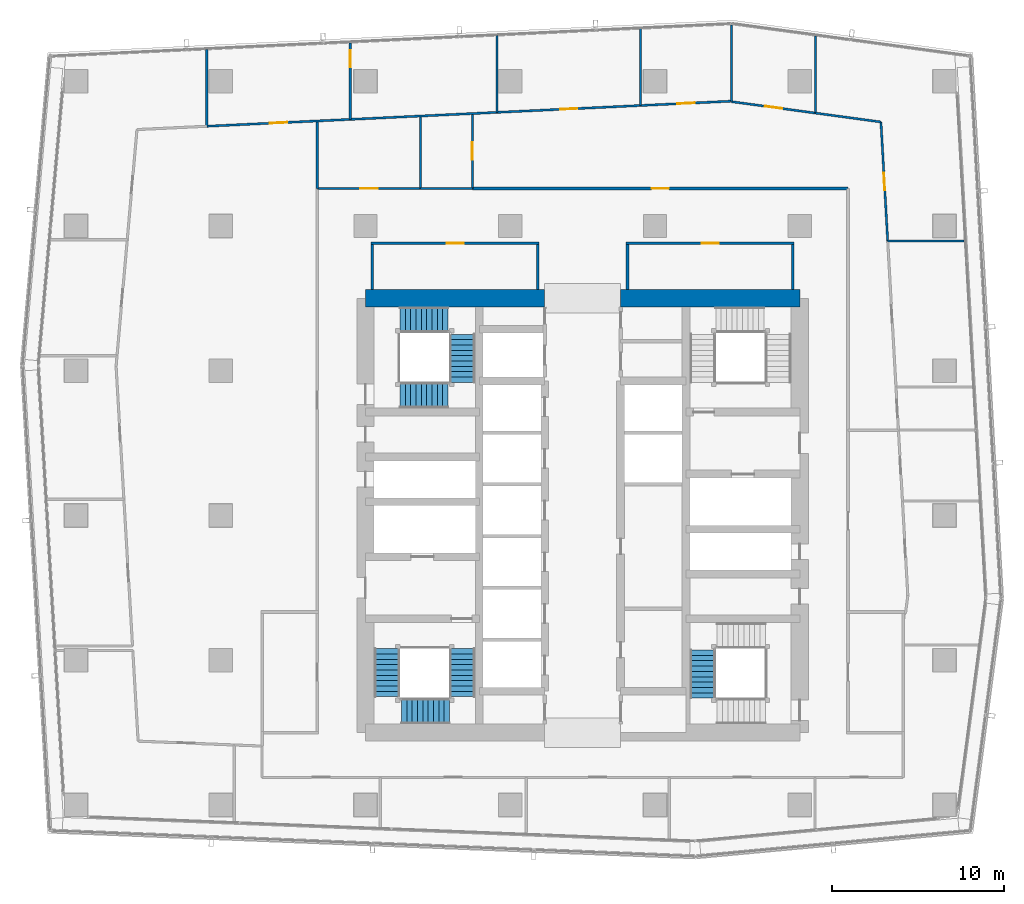
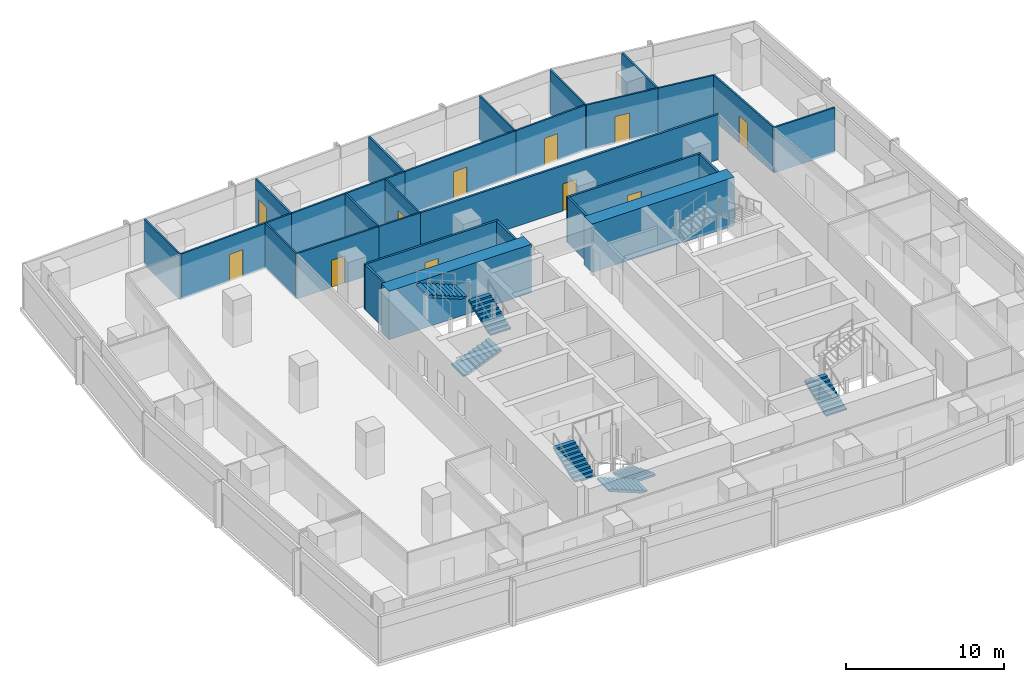
# One storey, part 30 of 39: 28 walls, 11 doors, 7 stair flights, 11 openings, 3 elements without a shape of their own.
"""IFC4 building model written with IfcOpenShell, lengths in metres."""

from ifc_helpers import new_model, si_unit, direction, frame, frame_2d, origin, place, context, subcontext, project, spatial, polyline, rectangle, outline, extrude, material, layer, layer_set, type_object, element, fill, aggregate, save


model = new_model("IFC4")

# Units and contexts
model_context = context("Model", 3, precision=1e-05, world=origin(), true_north=direction((0.0, 1.0)))
body_context = subcontext(model_context, "Body", "Model", "MODEL_VIEW")
ifc_project = project(units=[si_unit("LENGTHUNIT", "METRE"), si_unit("AREAUNIT", "SQUARE_METRE"), si_unit("VOLUMEUNIT", "CUBIC_METRE"), si_unit("PLANEANGLEUNIT", "RADIAN"), si_unit("MASSUNIT", "GRAM", prefix="KILO")], contexts=[model_context])

# Site, building, storey
site_placement = place(None, origin())
site = spatial("IfcSite", under=ifc_project, at=site_placement, CompositionType="ELEMENT")
building_placement = place(site_placement, origin())
building = spatial("IfcBuilding", under=site, at=building_placement, Name="Rekha Terrace Tower", CompositionType="ELEMENT")
storey_placement = place(building_placement, frame((0.0, 0.0, 187.699951171875)))
storey = spatial("IfcBuildingStorey", under=building, at=storey_placement, Name="L47", CompositionType="ELEMENT", Elevation=187.699951171875)

# Walls
ifc_material_1 = material(Name="Concrete M60", Category="concrete")
ifc_layer_1 = layer(ifc_material_1, 1.0)
ifc_layer_set_1 = layer_set([ifc_layer_1], Name="Concrete M60")
wall_type_1 = type_object("IfcWallType", Name="SW3 1000 core outer shear wall", PredefinedType="SHEAR", material=ifc_layer_set_1)
wall_1_placement = place(storey_placement, frame((25.199951171875, 46.199951171875, 0.0), z_axis=(0.0, 0.0, 1.0), x_axis=(1.0, 0.0, 0.0)))
element("IfcWall", 1, at=wall_1_placement, inside=storey, type_object=wall_type_1, Name="Core wall N1 L47", PredefinedType="SHEAR", context=body_context, shape_type="SweptSolid", body=[
    extrude(rectangle(XDim=10.400146484375, YDim=1.0, at=frame_2d((5.2001953125, 0.0))), origin(), (0.0, 0.0, 1.0), 3.75),
])
wall_2_placement = place(storey_placement, frame((40.0, 46.199951171875, 0.0), z_axis=(0.0, 0.0, 1.0), x_axis=(1.0, 0.0, 0.0)))
element("IfcWall", 2, at=wall_2_placement, inside=storey, type_object=wall_type_1, Name="Core wall N2 L47", PredefinedType="SHEAR", context=body_context, shape_type="SweptSolid", body=[
    extrude(rectangle(XDim=10.39990234375, YDim=1.0, at=frame_2d((5.199951171875, 0.0))), origin(), (0.0, 0.0, 1.0), 3.75),
])

# Wall, opening, door
ifc_material_2 = material(Name="Concrete block masonry, 1 hour", Category="masonry")
ifc_layer_2 = layer(ifc_material_2, 0.14990234375)
ifc_layer_set_2 = layer_set([ifc_layer_2], Name="Concrete block masonry, 1 hour")
wall_type_2 = type_object("IfcWallType", Name="WP2 150 tenancy partition", PredefinedType="PARTITIONING", material=ifc_layer_set_2)
wall_3_placement = place(storey_placement, frame((40.324951171875, 49.39990234375, 0.0), z_axis=(0.0, 0.0, 1.0), x_axis=(1.0, 0.0, 0.0)))
wall_3 = element("IfcWall", 3, at=wall_3_placement, inside=storey, type_object=wall_type_2, Name="Women's WC wall L47", PredefinedType="PARTITIONING", context=body_context, shape_type="SweptSolid", body=[
    extrude(rectangle(XDim=9.75, YDim=0.14990234375, at=frame_2d((4.875, 0.0))), origin(), (0.0, 0.0, 1.0), 3.5),
])
opening_1_placement = place(wall_3_placement, frame((4.375, 0.0, 0.0)))
opening_1 = element("IfcOpeningElement", 4, at=opening_1_placement, cuts=wall_3, Name="Opening D3", PredefinedType="OPENING", context=body_context, shape_type="SweptSolid", body=[
    extrude(rectangle(XDim=1.0, YDim=2.10009765625, at=frame_2d((0.5, 1.050048828125))), frame((0.0, 0.0849609375, 0.0), z_axis=(0.0, -1.0, 0.0), x_axis=(1.0, 0.0, 0.0)), (0.0, 0.0, 1.0), 0.169921875),
])
ifc_material_3 = material(Name="Laminated timber fire door", Category="wood")
door_type_1 = type_object("IfcDoorType", Name="D3 1000x2100 WC door", OperationType="SINGLE_SWING_LEFT", PredefinedType="DOOR", material=ifc_material_3)
door_1_placement = place(opening_1_placement, origin())
door_1 = element("IfcDoor", 5, at=door_1_placement, inside=storey, type_object=door_type_1, Name="Door women's wc L47", OperationType="SINGLE_SWING_LEFT", OverallHeight=2.10009765625, OverallWidth=1.0, PredefinedType="DOOR", context=body_context, shape_type="SweptSolid", body=[
    extrude(rectangle(XDim=1.0, YDim=2.10009765625, at=frame_2d((0.5, 1.050048828125))), frame((0.0, 0.02490234375, 0.0), z_axis=(0.0, -1.0, 0.0), x_axis=(1.0, 0.0, 0.0)), (0.0, 0.0, 1.0), 0.050048828125),
])
fill(opening_1, door_1)

# Walls
for number, where, z_axis, x_axis, name in (
    (6, (40.39990234375, 46.699951171875, 0.0), (0.0, 0.0, 1.0), (0.0, 1.0, 0.0), "Women's WC wall L47"),
    (7, (50.0, 46.699951171875, 0.0), (0.0, 0.0, 1.0), (0.0, 1.0, 0.0), "Women's WC wall L47"),
):
    element("IfcWall", number, at=place(storey_placement, frame(where, z_axis=z_axis, x_axis=x_axis)), inside=storey, type_object=wall_type_2, Name=name, PredefinedType="PARTITIONING", context=body_context, shape_type="SweptSolid", body=[
        extrude(rectangle(XDim=2.625, YDim=0.14990234375, at=frame_2d((1.3125, 0.0))), origin(), (0.0, 0.0, 1.0), 3.5),
    ])

# Wall, opening, door
wall_4_placement = place(storey_placement, frame((25.52490234375, 49.39990234375, 0.0), z_axis=(0.0, 0.0, 1.0), x_axis=(1.0, 0.0, 0.0)))
wall_4 = element("IfcWall", 8, at=wall_4_placement, inside=storey, type_object=wall_type_2, Name="Women's WC wall L47", PredefinedType="PARTITIONING", context=body_context, shape_type="SweptSolid", body=[
    extrude(rectangle(XDim=9.75, YDim=0.14990234375, at=frame_2d((4.875, 0.0))), origin(), (0.0, 0.0, 1.0), 3.5),
])
opening_2_placement = place(wall_4_placement, frame((4.375, 0.0, 0.0)))
opening_2 = element("IfcOpeningElement", 9, at=opening_2_placement, cuts=wall_4, Name="Opening D3", PredefinedType="OPENING", context=body_context, shape_type="SweptSolid", body=[
    extrude(rectangle(XDim=1.0, YDim=2.10009765625, at=frame_2d((0.5, 1.050048828125))), frame((0.0, 0.0849609375, 0.0), z_axis=(0.0, -1.0, 0.0), x_axis=(1.0, 0.0, 0.0)), (0.0, 0.0, 1.0), 0.169921875),
])
door_2_placement = place(opening_2_placement, origin())
door_2 = element("IfcDoor", 10, at=door_2_placement, inside=storey, type_object=door_type_1, Name="Door women's wc L47", OperationType="SINGLE_SWING_LEFT", OverallHeight=2.10009765625, OverallWidth=1.0, PredefinedType="DOOR", context=body_context, shape_type="SweptSolid", body=[
    extrude(rectangle(XDim=1.0, YDim=2.10009765625, at=frame_2d((0.5, 1.050048828125))), frame((0.0, 0.02490234375, 0.0), z_axis=(0.0, -1.0, 0.0), x_axis=(1.0, 0.0, 0.0)), (0.0, 0.0, 1.0), 0.050048828125),
])
fill(opening_2, door_2)

# Walls
for number, where, z_axis, x_axis, name in (
    (11, (25.60009765625, 46.699951171875, 0.0), (0.0, 0.0, 1.0), (0.0, 1.0, 0.0), "Women's WC wall L47"),
    (12, (35.199951171875, 46.699951171875, 0.0), (0.0, 0.0, 1.0), (0.0, 1.0, 0.0), "Women's WC wall L47"),
):
    element("IfcWall", number, at=place(storey_placement, frame(where, z_axis=z_axis, x_axis=x_axis)), inside=storey, type_object=wall_type_2, Name=name, PredefinedType="PARTITIONING", context=body_context, shape_type="SweptSolid", body=[
        extrude(rectangle(XDim=2.625, YDim=0.14990234375, at=frame_2d((1.3125, 0.0))), origin(), (0.0, 0.0, 1.0), 3.5),
    ])

# Wall, opening, door
wall_5_placement = place(storey_placement, frame((53.199951171875, 52.574951171875, 0.0), z_axis=(0.0, 0.0, 1.0), x_axis=(-1.0, 0.0, 0.0)))
wall_5 = element("IfcWall", 13, at=wall_5_placement, inside=storey, type_object=wall_type_2, Name="Partition L47-O2", PredefinedType="PARTITIONING", context=body_context, shape_type="SweptSolid", body=[
    extrude(rectangle(XDim=21.800048828125, YDim=0.14990234375, at=frame_2d((10.89990234375, 0.0))), origin(), (0.0, 0.0, 1.0), 3.5),
])
opening_3_placement = place(wall_5_placement, frame((10.39990234375, 0.0, 0.0)))
opening_3 = element("IfcOpeningElement", 14, at=opening_3_placement, cuts=wall_5, Name="Opening D9", PredefinedType="OPENING", context=body_context, shape_type="SweptSolid", body=[
    extrude(rectangle(XDim=1.0, YDim=2.10009765625, at=frame_2d((0.5, 1.050048828125))), frame((0.0, 0.0849609375, 0.0), z_axis=(0.0, -1.0, 0.0), x_axis=(1.0, 0.0, 0.0)), (0.0, 0.0, 1.0), 0.169921875),
])
ifc_material_4 = material(Name="Timber fire door", Category="wood")
door_type_2 = type_object("IfcDoorType", Name="D9 1000x2100 office door", OperationType="SINGLE_SWING_LEFT", PredefinedType="DOOR", material=ifc_material_4)
door_3_placement = place(opening_3_placement, origin())
door_3 = element("IfcDoor", 15, at=door_3_placement, inside=storey, type_object=door_type_2, Name="Door open-plan office L47", OperationType="SINGLE_SWING_LEFT", OverallHeight=2.10009765625, OverallWidth=1.0, PredefinedType="DOOR", context=body_context, shape_type="SweptSolid", body=[
    extrude(rectangle(XDim=1.0, YDim=2.10009765625, at=frame_2d((0.5, 1.050048828125))), frame((0.0, 0.02490234375, 0.0), z_axis=(0.0, -1.0, 0.0), x_axis=(1.0, 0.0, 0.0)), (0.0, 0.0, 1.0), 0.050048828125),
])
fill(opening_3, door_3)

# Wall
ifc_material_5 = material(Name="Two layers of fire-rated gypsum board each side on steel studs, acoustic quilt, 1 hour", Category="steel")
ifc_layer_3 = layer(ifc_material_5, 0.125)
ifc_layer_set_3 = layer_set([ifc_layer_3], Name="Two layers of fire-rated gypsum board each side on steel studs, acoustic quilt, 1 hour")
wall_type_3 = type_object("IfcWallType", Name="WP3 125 office partition", PredefinedType="PARTITIONING", material=ifc_layer_set_3)
wall_6_placement = place(storey_placement, frame((55.501953125, 49.52001953125, 0.0), z_axis=(0.0, 0.0, 1.0), x_axis=(1.0, 0.0, 0.0)))
element("IfcWall", 16, at=wall_6_placement, inside=storey, type_object=wall_type_3, Name="Partition L47-11", PredefinedType="PARTITIONING", context=body_context, shape_type="SweptSolid", body=[
    extrude(rectangle(XDim=4.427001953125, YDim=0.125, at=frame_2d((2.21337890625, 0.0))), origin(), (0.0, 0.0, 1.0), 3.5),
])

# Wall, opening, door
wall_7_placement = place(storey_placement, frame((55.501953125, 49.52099609375, 0.0), z_axis=(0.0, 0.0, 1.0), x_axis=(-0.056774622162, 0.998387020287, 0.0)))
wall_7 = element("IfcWall", 17, at=wall_7_placement, inside=storey, type_object=wall_type_3, Name="Partition L47-12", PredefinedType="PARTITIONING", context=body_context, shape_type="SweptSolid", body=[
    extrude(rectangle(XDim=6.92333984375, YDim=0.125, at=frame_2d((3.461669921875, 0.0))), origin(), (0.0, 0.0, 1.0), 3.5),
])
opening_4_placement = place(wall_7_placement, frame((2.9619140625, 0.0, 0.0)))
opening_4 = element("IfcOpeningElement", 18, at=opening_4_placement, cuts=wall_7, Name="Opening D9", PredefinedType="OPENING", context=body_context, shape_type="SweptSolid", body=[
    extrude(rectangle(XDim=1.0, YDim=2.10009765625, at=frame_2d((0.5, 1.050048828125))), frame((0.0, 0.072509765625, 0.0), z_axis=(0.0, -1.0, 0.0), x_axis=(1.0, 0.0, 0.0)), (0.0, 0.0, 1.0), 0.14501953125),
])
door_4_placement = place(opening_4_placement, origin())
door_4 = element("IfcDoor", 19, at=door_4_placement, inside=storey, type_object=door_type_2, Name="Door director's office L47", OperationType="SINGLE_SWING_LEFT", OverallHeight=2.10009765625, OverallWidth=1.0, PredefinedType="DOOR", context=body_context, shape_type="SweptSolid", body=[
    extrude(rectangle(XDim=1.0, YDim=2.10009765625, at=frame_2d((0.5, 1.050048828125))), frame((0.0, 0.02490234375, 0.0), z_axis=(0.0, -1.0, 0.0), x_axis=(1.0, 0.0, 0.0)), (0.0, 0.0, 1.0), 0.050048828125),
])
fill(opening_4, door_4)

# Walls
wall_8_placement = place(storey_placement, frame((55.10888671875, 56.43310546875, 0.0), z_axis=(0.0, 0.0, 1.0), x_axis=(-0.99085729424, 0.134914129914, 0.0)))
element("IfcWall", 20, at=wall_8_placement, inside=storey, type_object=wall_type_3, Name="Partition L47-12", PredefinedType="PARTITIONING", context=body_context, shape_type="SweptSolid", body=[
    extrude(rectangle(XDim=3.830810546875, YDim=0.125, at=frame_2d((1.91552734375, 0.0))), origin(), (0.0, 0.0, 1.0), 3.5),
])
wall_9_placement = place(storey_placement, frame((51.31298828125, 56.949951171875, 0.0), z_axis=(0.0, 0.0, 1.0), x_axis=(0.0, 1.0, 0.0)))
element("IfcWall", 21, at=wall_9_placement, inside=storey, type_object=wall_type_3, Name="Partition L47-12", PredefinedType="PARTITIONING", context=body_context, shape_type="SweptSolid", body=[
    extrude(rectangle(XDim=4.4609375, YDim=0.125, at=frame_2d((2.23046875, 0.0))), origin(), (0.0, 0.0, 1.0), 3.5),
])

# Wall, opening, door
wall_10_placement = place(storey_placement, frame((51.31201171875, 56.949951171875, 0.0), z_axis=(0.0, 0.0, 1.0), x_axis=(-0.990872766335, 0.134800448573, 0.0)))
wall_10 = element("IfcWall", 22, at=wall_10_placement, inside=storey, type_object=wall_type_3, Name="Partition L47-13", PredefinedType="PARTITIONING", context=body_context, shape_type="SweptSolid", body=[
    extrude(rectangle(XDim=4.911865234375, YDim=0.125, at=frame_2d((2.4560546875, 0.0))), origin(), (0.0, 0.0, 1.0), 3.5),
])
opening_5_placement = place(wall_10_placement, frame((1.9560546875, 0.0, 0.0)))
opening_5 = element("IfcOpeningElement", 23, at=opening_5_placement, cuts=wall_10, Name="Opening D9", PredefinedType="OPENING", context=body_context, shape_type="SweptSolid", body=[
    extrude(rectangle(XDim=1.0, YDim=2.10009765625, at=frame_2d((0.5, 1.050048828125))), frame((0.0, 0.072509765625, 0.0), z_axis=(0.0, -1.0, 0.0), x_axis=(1.0, 0.0, 0.0)), (0.0, 0.0, 1.0), 0.14501953125),
])
door_5_placement = place(opening_5_placement, origin())
door_5 = element("IfcDoor", 24, at=door_5_placement, inside=storey, type_object=door_type_2, Name="Door office L47", OperationType="SINGLE_SWING_LEFT", OverallHeight=2.10009765625, OverallWidth=1.0, PredefinedType="DOOR", context=body_context, shape_type="SweptSolid", body=[
    extrude(rectangle(XDim=1.0, YDim=2.10009765625, at=frame_2d((0.5, 1.050048828125))), frame((0.0, 0.02490234375, 0.0), z_axis=(0.0, -1.0, 0.0), x_axis=(1.0, 0.0, 0.0)), (0.0, 0.0, 1.0), 0.050048828125),
])
fill(opening_5, door_5)

# Walls
wall_11_placement = place(storey_placement, frame((46.445068359375, 57.62109375, 0.0), z_axis=(0.0, 0.0, 1.0), x_axis=(0.0, 1.0, 0.0)))
element("IfcWall", 25, at=wall_11_placement, inside=storey, type_object=wall_type_3, Name="Partition L47-13", PredefinedType="PARTITIONING", context=body_context, shape_type="SweptSolid", body=[
    extrude(rectangle(XDim=4.44580078125, YDim=0.125, at=frame_2d((2.222900390625, 0.0))), origin(), (0.0, 0.0, 1.0), 3.5),
])
wall_12_placement = place(storey_placement, frame((41.152099609375, 57.388916015625, 0.0), z_axis=(0.0, 0.0, 1.0), x_axis=(0.0, 1.0, 0.0)))
element("IfcWall", 26, at=wall_12_placement, inside=storey, type_object=wall_type_3, Name="Partition L47-14", PredefinedType="PARTITIONING", context=body_context, shape_type="SweptSolid", body=[
    extrude(rectangle(XDim=4.4560546875, YDim=0.125, at=frame_2d((2.22802734375, 0.0))), origin(), (0.0, 0.0, 1.0), 3.5),
])

# Wall, opening, door
wall_13_placement = place(storey_placement, frame((46.383056640625, 57.638916015625, 0.0), z_axis=(0.0, 0.0, 1.0), x_axis=(-0.998859895891, -0.047737913441, 0.0)))
wall_13 = element("IfcWall", 27, at=wall_13_placement, inside=storey, type_object=wall_type_3, Name="Partition L47-14", PredefinedType="PARTITIONING", context=body_context, shape_type="SweptSolid", body=[
    extrude(rectangle(XDim=5.23681640625, YDim=0.125, at=frame_2d((2.618408203125, 0.0))), origin(), (0.0, 0.0, 1.0), 3.5),
])
opening_6_placement = place(wall_13_placement, frame((2.087890625, 0.0, 0.0)))
opening_6 = element("IfcOpeningElement", 28, at=opening_6_placement, cuts=wall_13, Name="Opening D9", PredefinedType="OPENING", context=body_context, shape_type="SweptSolid", body=[
    extrude(rectangle(XDim=1.0, YDim=2.10009765625, at=frame_2d((0.5, 1.050048828125))), frame((0.0, 0.072509765625, 0.0), z_axis=(0.0, -1.0, 0.0), x_axis=(1.0, 0.0, 0.0)), (0.0, 0.0, 1.0), 0.14501953125),
])
door_6_placement = place(opening_6_placement, origin())
door_6 = element("IfcDoor", 29, at=door_6_placement, inside=storey, type_object=door_type_2, Name="Door office L47", OperationType="SINGLE_SWING_LEFT", OverallHeight=2.10009765625, OverallWidth=1.0, PredefinedType="DOOR", context=body_context, shape_type="SweptSolid", body=[
    extrude(rectangle(XDim=1.0, YDim=2.10009765625, at=frame_2d((0.5, 1.050048828125))), frame((0.0, 0.02490234375, 0.0), z_axis=(0.0, -1.0, 0.0), x_axis=(1.0, 0.0, 0.0)), (0.0, 0.0, 1.0), 0.050048828125),
])
fill(opening_6, door_6)

wall_14_placement = place(storey_placement, frame((41.15087890625, 57.388916015625, 0.0), z_axis=(0.0, 0.0, 1.0), x_axis=(-0.998859706329, -0.047741879639, 0.0)))
wall_14 = element("IfcWall", 30, at=wall_14_placement, inside=storey, type_object=wall_type_3, Name="Partition L47-15", PredefinedType="PARTITIONING", context=body_context, shape_type="SweptSolid", body=[
    extrude(rectangle(XDim=8.33544921875, YDim=0.125, at=frame_2d((4.167724609375, 0.0))), origin(), (0.0, 0.0, 1.0), 3.5),
])
opening_7_placement = place(wall_14_placement, frame((3.66796875, 0.0, 0.0)))
opening_7 = element("IfcOpeningElement", 31, at=opening_7_placement, cuts=wall_14, Name="Opening D9", PredefinedType="OPENING", context=body_context, shape_type="SweptSolid", body=[
    extrude(rectangle(XDim=1.0, YDim=2.10009765625, at=frame_2d((0.5, 1.050048828125))), frame((0.0, 0.072509765625, 0.0), z_axis=(0.0, -1.0, 0.0), x_axis=(1.0, 0.0, 0.0)), (0.0, 0.0, 1.0), 0.14501953125),
])
door_7_placement = place(opening_7_placement, origin())
door_7 = element("IfcDoor", 32, at=door_7_placement, inside=storey, type_object=door_type_2, Name="Door office L47", OperationType="SINGLE_SWING_LEFT", OverallHeight=2.10009765625, OverallWidth=1.0, PredefinedType="DOOR", context=body_context, shape_type="SweptSolid", body=[
    extrude(rectangle(XDim=1.0, YDim=2.10009765625, at=frame_2d((0.5, 1.050048828125))), frame((0.0, 0.02490234375, 0.0), z_axis=(0.0, -1.0, 0.0), x_axis=(1.0, 0.0, 0.0)), (0.0, 0.0, 1.0), 0.050048828125),
])
fill(opening_7, door_7)

# Walls
wall_15_placement = place(storey_placement, frame((32.824951171875, 56.990966796875, 0.0), z_axis=(0.0, 0.0, 1.0), x_axis=(0.0, 1.0, 0.0)))
element("IfcWall", 33, at=wall_15_placement, inside=storey, type_object=wall_type_3, Name="Partition L47-15", PredefinedType="PARTITIONING", context=body_context, shape_type="SweptSolid", body=[
    extrude(rectangle(XDim=4.455078125, YDim=0.125, at=frame_2d((2.2275390625, 0.0))), origin(), (0.0, 0.0, 1.0), 3.5),
])
wall_16_placement = place(storey_placement, frame((32.823974609375, 56.990966796875, 0.0), z_axis=(0.0, 0.0, 1.0), x_axis=(-0.998857279552, -0.047792625861, 0.0)))
element("IfcWall", 34, at=wall_16_placement, inside=storey, type_object=wall_type_3, Name="Partition L47-16", PredefinedType="PARTITIONING", context=body_context, shape_type="SweptSolid", body=[
    extrude(rectangle(XDim=8.515625, YDim=0.125, at=frame_2d((4.2578125, 0.0))), origin(), (0.0, 0.0, 1.0), 3.5),
])

# Wall, opening, door
wall_17_placement = place(storey_placement, frame((24.318115234375, 56.583984375, 0.0), z_axis=(0.0, 0.0, 1.0), x_axis=(0.0, 1.0, 0.0)))
wall_17 = element("IfcWall", 35, at=wall_17_placement, inside=storey, type_object=wall_type_3, Name="Partition L47-16", PredefinedType="PARTITIONING", context=body_context, shape_type="SweptSolid", body=[
    extrude(rectangle(XDim=4.426025390625, YDim=0.125, at=frame_2d((2.212890625, 0.0))), origin(), (0.0, 0.0, 1.0), 3.5),
])
opening_8_placement = place(wall_17_placement, frame((3.012939453125, 0.0, 0.0)))
opening_8 = element("IfcOpeningElement", 36, at=opening_8_placement, cuts=wall_17, Name="Opening D9", PredefinedType="OPENING", context=body_context, shape_type="SweptSolid", body=[
    extrude(rectangle(XDim=1.0, YDim=2.10009765625, at=frame_2d((0.5, 1.050048828125))), frame((0.0, 0.072509765625, 0.0), z_axis=(0.0, -1.0, 0.0), x_axis=(1.0, 0.0, 0.0)), (0.0, 0.0, 1.0), 0.14501953125),
])
door_8_placement = place(opening_8_placement, origin())
door_8 = element("IfcDoor", 37, at=door_8_placement, inside=storey, type_object=door_type_2, Name="Door office L47", OperationType="SINGLE_SWING_LEFT", OverallHeight=2.10009765625, OverallWidth=1.0, PredefinedType="DOOR", context=body_context, shape_type="SweptSolid", body=[
    extrude(rectangle(XDim=1.0, YDim=2.10009765625, at=frame_2d((0.5, 1.050048828125))), frame((0.0, 0.02490234375, 0.0), z_axis=(0.0, -1.0, 0.0), x_axis=(1.0, 0.0, 0.0)), (0.0, 0.0, 1.0), 0.050048828125),
])
fill(opening_8, door_8)

wall_18_placement = place(storey_placement, frame((24.31689453125, 56.583984375, 0.0), z_axis=(0.0, 0.0, 1.0), x_axis=(-0.998859973319, -0.047736293327, 0.0)))
wall_18 = element("IfcWall", 38, at=wall_18_placement, inside=storey, type_object=wall_type_3, Name="Partition L47-17", PredefinedType="PARTITIONING", context=body_context, shape_type="SweptSolid", body=[
    extrude(rectangle(XDim=8.33642578125, YDim=0.125, at=frame_2d((4.168212890625, 0.0))), origin(), (0.0, 0.0, 1.0), 3.5),
])
opening_9_placement = place(wall_18_placement, frame((3.66796875, 0.0, 0.0)))
opening_9 = element("IfcOpeningElement", 39, at=opening_9_placement, cuts=wall_18, Name="Opening D9", PredefinedType="OPENING", context=body_context, shape_type="SweptSolid", body=[
    extrude(rectangle(XDim=1.0, YDim=2.10009765625, at=frame_2d((0.5, 1.050048828125))), frame((0.0, 0.072509765625, 0.0), z_axis=(0.0, -1.0, 0.0), x_axis=(1.0, 0.0, 0.0)), (0.0, 0.0, 1.0), 0.14501953125),
])
door_9_placement = place(opening_9_placement, origin())
door_9 = element("IfcDoor", 40, at=door_9_placement, inside=storey, type_object=door_type_2, Name="Door office L47", OperationType="SINGLE_SWING_LEFT", OverallHeight=2.10009765625, OverallWidth=1.0, PredefinedType="DOOR", context=body_context, shape_type="SweptSolid", body=[
    extrude(rectangle(XDim=1.0, YDim=2.10009765625, at=frame_2d((0.5, 1.050048828125))), frame((0.0, 0.02490234375, 0.0), z_axis=(0.0, -1.0, 0.0), x_axis=(1.0, 0.0, 0.0)), (0.0, 0.0, 1.0), 0.050048828125),
])
fill(opening_9, door_9)

# Walls
wall_19_placement = place(storey_placement, frame((15.989990234375, 56.18603515625, 0.0), z_axis=(0.0, 0.0, 1.0), x_axis=(0.0, 1.0, 0.0)))
element("IfcWall", 41, at=wall_19_placement, inside=storey, type_object=wall_type_3, Name="Partition L47-17", PredefinedType="PARTITIONING", context=body_context, shape_type="SweptSolid", body=[
    extrude(rectangle(XDim=4.4560546875, YDim=0.125, at=frame_2d((2.22802734375, 0.0))), origin(), (0.0, 0.0, 1.0), 3.5),
])
wall_20_placement = place(storey_placement, frame((28.39990234375, 56.717041015625, 0.0), z_axis=(0.0, 0.0, 1.0), x_axis=(0.0, -1.0, 0.0)))
element("IfcWall", 42, at=wall_20_placement, inside=storey, type_object=wall_type_3, Name="Partition L47-22", PredefinedType="PARTITIONING", context=body_context, shape_type="SweptSolid", body=[
    extrude(rectangle(XDim=4.14208984375, YDim=0.125, at=frame_2d((2.071044921875, 0.0))), origin(), (0.0, 0.0, 1.0), 3.5),
])

# Wall, opening, door
wall_21_placement = place(storey_placement, frame((28.39990234375, 52.574951171875, 0.0), z_axis=(0.0, 0.0, 1.0), x_axis=(-1.0, 0.0, 0.0)))
wall_21 = element("IfcWall", 43, at=wall_21_placement, inside=storey, type_object=wall_type_3, Name="Partition L47-22", PredefinedType="PARTITIONING", context=body_context, shape_type="SweptSolid", body=[
    extrude(rectangle(XDim=6.0, YDim=0.125, at=frame_2d((3.0, 0.0))), origin(), (0.0, 0.0, 1.0), 3.5),
])
opening_10_placement = place(wall_21_placement, frame((2.5, 0.0, 0.0)))
opening_10 = element("IfcOpeningElement", 44, at=opening_10_placement, cuts=wall_21, Name="Opening D9", PredefinedType="OPENING", context=body_context, shape_type="SweptSolid", body=[
    extrude(rectangle(XDim=1.0, YDim=2.10009765625, at=frame_2d((0.5, 1.050048828125))), frame((0.0, 0.072509765625, 0.0), z_axis=(0.0, -1.0, 0.0), x_axis=(1.0, 0.0, 0.0)), (0.0, 0.0, 1.0), 0.14501953125),
])
door_10_placement = place(opening_10_placement, origin())
door_10 = element("IfcDoor", 45, at=door_10_placement, inside=storey, type_object=door_type_2, Name="Door reception L47", OperationType="SINGLE_SWING_LEFT", OverallHeight=2.10009765625, OverallWidth=1.0, PredefinedType="DOOR", context=body_context, shape_type="SweptSolid", body=[
    extrude(rectangle(XDim=1.0, YDim=2.10009765625, at=frame_2d((0.5, 1.050048828125))), frame((0.0, 0.02490234375, 0.0), z_axis=(0.0, -1.0, 0.0), x_axis=(1.0, 0.0, 0.0)), (0.0, 0.0, 1.0), 0.050048828125),
])
fill(opening_10, door_10)

# Wall
wall_22_placement = place(storey_placement, frame((22.39990234375, 52.574951171875, 0.0), z_axis=(0.0, 0.0, 1.0), x_axis=(0.0, 1.0, 0.0)))
element("IfcWall", 46, at=wall_22_placement, inside=storey, type_object=wall_type_3, Name="Partition L47-22", PredefinedType="PARTITIONING", context=body_context, shape_type="SweptSolid", body=[
    extrude(rectangle(XDim=3.85498046875, YDim=0.125, at=frame_2d((1.927490234375, 0.0))), origin(), (0.0, 0.0, 1.0), 3.5),
])

# Wall, opening, door
wall_23_placement = place(storey_placement, frame((31.39990234375, 56.860107421875, 0.0), z_axis=(0.0, 0.0, 1.0), x_axis=(0.0, -1.0, 0.0)))
wall_23 = element("IfcWall", 47, at=wall_23_placement, inside=storey, type_object=wall_type_3, Name="Partition L47-23", PredefinedType="PARTITIONING", context=body_context, shape_type="SweptSolid", body=[
    extrude(rectangle(XDim=4.28515625, YDim=0.125, at=frame_2d((2.142578125, 0.0))), origin(), (0.0, 0.0, 1.0), 3.5),
])
opening_11_placement = place(wall_23_placement, frame((1.611083984375, 0.0, 0.0)))
opening_11 = element("IfcOpeningElement", 48, at=opening_11_placement, cuts=wall_23, Name="Opening D9", PredefinedType="OPENING", context=body_context, shape_type="SweptSolid", body=[
    extrude(rectangle(XDim=1.0, YDim=2.10009765625, at=frame_2d((0.5, 1.050048828125))), frame((0.0, 0.072509765625, 0.0), z_axis=(0.0, -1.0, 0.0), x_axis=(1.0, 0.0, 0.0)), (0.0, 0.0, 1.0), 0.14501953125),
])
door_11_placement = place(opening_11_placement, origin())
door_11 = element("IfcDoor", 49, at=door_11_placement, inside=storey, type_object=door_type_2, Name="Door print room L47", OperationType="SINGLE_SWING_LEFT", OverallHeight=2.10009765625, OverallWidth=1.0, PredefinedType="DOOR", context=body_context, shape_type="SweptSolid", body=[
    extrude(rectangle(XDim=1.0, YDim=2.10009765625, at=frame_2d((0.5, 1.050048828125))), frame((0.0, 0.02490234375, 0.0), z_axis=(0.0, -1.0, 0.0), x_axis=(1.0, 0.0, 0.0)), (0.0, 0.0, 1.0), 0.050048828125),
])
fill(opening_11, door_11)

# Wall
wall_24_placement = place(storey_placement, frame((31.39990234375, 52.574951171875, 0.0), z_axis=(0.0, 0.0, 1.0), x_axis=(-1.0, 0.0, 0.0)))
element("IfcWall", 50, at=wall_24_placement, inside=storey, type_object=wall_type_3, Name="Partition L47-23", PredefinedType="PARTITIONING", context=body_context, shape_type="SweptSolid", body=[
    extrude(rectangle(XDim=3.0, YDim=0.125, at=frame_2d((1.5, 0.0))), origin(), (0.0, 0.0, 1.0), 3.5),
])

# Stair, stair flights
ifc_material_6 = material(Name="Concrete M40", Category="concrete")
stair_type = type_object("IfcStairType", Name="ST30 stair, 30 risers of 125, going 310, 1500 wide flights, 3 flights", PredefinedType="HALF_TURN_STAIR", material=ifc_material_6)
stair_1_placement = place(storey_placement, origin())
stair_1 = element("IfcStair", 51, at=stair_1_placement, inside=storey, type_object=stair_type, Name="Stair ST1 L47 to L48", PredefinedType="HALF_TURN_STAIR")
stair_flight_type = type_object("IfcStairFlightType", Name="SF10 stair flight, 10 risers of 125, going 310, 1500 wide", PredefinedType="STRAIGHT", material=ifc_material_6)
stair_flight_1_placement = place(storey_placement, frame((30.824951171875, 25.875, 0.0), z_axis=(0.0, 0.0, 1.0), x_axis=(0.0, -1.0, 0.0)))
stair_flight_1 = element("IfcStairFlight", 52, at=stair_flight_1_placement, type_object=stair_flight_type, Name="ST1 flight 1", NumberOfRisers=10, NumberOfTreads=9, PredefinedType="STRAIGHT", RiserHeight=0.125, TreadLength=0.31, context=body_context, shape_type="SweptSolid", body=[
    extrude(outline(polyline([(0.0, 0.0), (0.0, 0.125), (0.31005859375, 0.125), (0.31005859375, 0.25), (0.6201171875, 0.25), (0.6201171875, 0.375), (0.929931640625, 0.375), (0.929931640625, 0.5), (1.239990234375, 0.5), (1.239990234375, 0.625), (1.550048828125, 0.625), (1.550048828125, 0.75), (1.860107421875, 0.75), (1.860107421875, 0.875), (2.169921875, 0.875), (2.169921875, 1.0), (2.47998046875, 1.0), (2.47998046875, 1.125), (2.7900390625, 1.125), (2.7900390625, 1.25), (2.7900390625, 0.96337890625), (0.40087890625, 0.0), (0.0, 0.0)])), frame((0.0, 0.75, 0.0), z_axis=(0.0, -1.0, 0.0), x_axis=(1.0, 0.0, 0.0)), (0.0, 0.0, 1.0), 1.5),
])
stair_flight_2_placement = place(storey_placement, frame((30.074951171875, 22.25, 1.25), z_axis=(0.0, 0.0, 1.0), x_axis=(-1.0, 0.0, 0.0)))
stair_flight_2 = element("IfcStairFlight", 53, at=stair_flight_2_placement, type_object=stair_flight_type, Name="ST1 flight 2", NumberOfRisers=10, NumberOfTreads=9, PredefinedType="STRAIGHT", RiserHeight=0.125, TreadLength=0.31, context=body_context, shape_type="SweptSolid", body=[
    extrude(outline(polyline([(0.0, 0.0), (0.0, 0.125), (0.31005859375, 0.125), (0.31005859375, 0.25), (0.6201171875, 0.25), (0.6201171875, 0.375), (0.929931640625, 0.375), (0.929931640625, 0.5), (1.239990234375, 0.5), (1.239990234375, 0.625), (1.550048828125, 0.625), (1.550048828125, 0.75), (1.860107421875, 0.75), (1.860107421875, 0.875), (2.169921875, 0.875), (2.169921875, 1.0), (2.47998046875, 1.0), (2.47998046875, 1.125), (2.7900390625, 1.125), (2.7900390625, 1.25), (2.7900390625, 0.96337890625), (0.40087890625, 0.0), (0.0, 0.0)])), frame((0.0, 0.75, 0.0), z_axis=(0.0, -1.0, 0.0), x_axis=(1.0, 0.0, 0.0)), (0.0, 0.0, 1.0), 1.5),
])
stair_flight_3_placement = place(storey_placement, frame((26.449951171875, 23.0849609375, 2.5), z_axis=(0.0, 0.0, 1.0), x_axis=(0.0, 1.0, 0.0)))
stair_flight_3 = element("IfcStairFlight", 54, at=stair_flight_3_placement, type_object=stair_flight_type, Name="ST1 flight 3", NumberOfRisers=10, NumberOfTreads=9, PredefinedType="STRAIGHT", RiserHeight=0.125, TreadLength=0.31, context=body_context, shape_type="SweptSolid", body=[
    extrude(outline(polyline([(0.0, 0.0), (0.0, 0.125), (0.31005859375, 0.125), (0.31005859375, 0.25), (0.6201171875, 0.25), (0.6201171875, 0.375), (0.929931640625, 0.375), (0.929931640625, 0.5), (1.239990234375, 0.5), (1.239990234375, 0.625), (1.550048828125, 0.625), (1.550048828125, 0.75), (1.860107421875, 0.75), (1.860107421875, 0.875), (2.169921875, 0.875), (2.169921875, 1.0), (2.47998046875, 1.0), (2.47998046875, 1.125), (2.7900390625, 1.125), (2.7900390625, 1.25), (2.7900390625, 0.96337890625), (0.40087890625, 0.0), (0.0, 0.0)])), frame((0.0, 0.75, 0.0), z_axis=(0.0, -1.0, 0.0), x_axis=(1.0, 0.0, 0.0)), (0.0, 0.0, 1.0), 1.5),
])
aggregate(stair_1, [stair_flight_1, stair_flight_2, stair_flight_3])

# Stair, stair flight
stair_2_placement = place(storey_placement, origin())
stair_2 = element("IfcStair", 55, at=stair_2_placement, inside=storey, type_object=stair_type, Name="Stair ST3 L47 to L48", PredefinedType="HALF_TURN_STAIR")
stair_flight_4_placement = place(storey_placement, frame((44.77490234375, 23.0, 1.25), z_axis=(0.0, 0.0, 1.0), x_axis=(0.0, 1.0, 0.0)))
stair_flight_4 = element("IfcStairFlight", 56, at=stair_flight_4_placement, type_object=stair_flight_type, Name="ST3 flight 2", NumberOfRisers=10, NumberOfTreads=9, PredefinedType="STRAIGHT", RiserHeight=0.125, TreadLength=0.31, context=body_context, shape_type="SweptSolid", body=[
    extrude(outline(polyline([(0.0, 0.0), (0.0, 0.125), (0.31005859375, 0.125), (0.31005859375, 0.25), (0.6201171875, 0.25), (0.6201171875, 0.375), (0.929931640625, 0.375), (0.929931640625, 0.5), (1.239990234375, 0.5), (1.239990234375, 0.625), (1.550048828125, 0.625), (1.550048828125, 0.75), (1.860107421875, 0.75), (1.860107421875, 0.875), (2.169921875, 0.875), (2.169921875, 1.0), (2.47998046875, 1.0), (2.47998046875, 1.125), (2.7900390625, 1.125), (2.7900390625, 1.25), (2.7900390625, 0.96337890625), (0.40087890625, 0.0), (0.0, 0.0)])), frame((0.0, 0.75, 0.0), z_axis=(0.0, -1.0, 0.0), x_axis=(1.0, 0.0, 0.0)), (0.0, 0.0, 1.0), 1.5),
])
aggregate(stair_2, [stair_flight_4])

# Stair, stair flights
stair_3_placement = place(storey_placement, origin())
stair_3 = element("IfcStair", 57, at=stair_3_placement, inside=storey, type_object=stair_type, Name="Stair ST4 L47 to L48", PredefinedType="HALF_TURN_STAIR")
stair_flight_5_placement = place(storey_placement, frame((27.199951171875, 40.574951171875, 0.0), z_axis=(0.0, 0.0, 1.0), x_axis=(1.0, 0.0, 0.0)))
stair_flight_5 = element("IfcStairFlight", 58, at=stair_flight_5_placement, type_object=stair_flight_type, Name="ST4 flight 1", NumberOfRisers=10, NumberOfTreads=9, PredefinedType="STRAIGHT", RiserHeight=0.125, TreadLength=0.31, context=body_context, shape_type="SweptSolid", body=[
    extrude(outline(polyline([(0.0, 0.0), (0.0, 0.125), (0.31005859375, 0.125), (0.31005859375, 0.25), (0.6201171875, 0.25), (0.6201171875, 0.375), (0.929931640625, 0.375), (0.929931640625, 0.5), (1.239990234375, 0.5), (1.239990234375, 0.625), (1.550048828125, 0.625), (1.550048828125, 0.75), (1.860107421875, 0.75), (1.860107421875, 0.875), (2.169921875, 0.875), (2.169921875, 1.0), (2.47998046875, 1.0), (2.47998046875, 1.125), (2.7900390625, 1.125), (2.7900390625, 1.25), (2.7900390625, 0.96337890625), (0.40087890625, 0.0), (0.0, 0.0)])), frame((0.0, 0.75, 0.0), z_axis=(0.0, -1.0, 0.0), x_axis=(1.0, 0.0, 0.0)), (0.0, 0.0, 1.0), 1.5),
])
stair_flight_6_placement = place(storey_placement, frame((30.824951171875, 41.324951171875, 1.25), z_axis=(0.0, 0.0, 1.0), x_axis=(0.0, 1.0, 0.0)))
stair_flight_6 = element("IfcStairFlight", 59, at=stair_flight_6_placement, type_object=stair_flight_type, Name="ST4 flight 2", NumberOfRisers=10, NumberOfTreads=9, PredefinedType="STRAIGHT", RiserHeight=0.125, TreadLength=0.31, context=body_context, shape_type="SweptSolid", body=[
    extrude(outline(polyline([(0.0, 0.0), (0.0, 0.125), (0.31005859375, 0.125), (0.31005859375, 0.25), (0.6201171875, 0.25), (0.6201171875, 0.375), (0.929931640625, 0.375), (0.929931640625, 0.5), (1.239990234375, 0.5), (1.239990234375, 0.625), (1.550048828125, 0.625), (1.550048828125, 0.75), (1.860107421875, 0.75), (1.860107421875, 0.875), (2.169921875, 0.875), (2.169921875, 1.0), (2.47998046875, 1.0), (2.47998046875, 1.125), (2.7900390625, 1.125), (2.7900390625, 1.25), (2.7900390625, 0.96337890625), (0.40087890625, 0.0), (0.0, 0.0)])), frame((0.0, 0.75, 0.0), z_axis=(0.0, -1.0, 0.0), x_axis=(1.0, 0.0, 0.0)), (0.0, 0.0, 1.0), 1.5),
])
stair_flight_7_placement = place(storey_placement, frame((29.989990234375, 44.949951171875, 2.5), z_axis=(0.0, 0.0, 1.0), x_axis=(-1.0, 0.0, 0.0)))
stair_flight_7 = element("IfcStairFlight", 60, at=stair_flight_7_placement, type_object=stair_flight_type, Name="ST4 flight 3", NumberOfRisers=10, NumberOfTreads=9, PredefinedType="STRAIGHT", RiserHeight=0.125, TreadLength=0.31, context=body_context, shape_type="SweptSolid", body=[
    extrude(outline(polyline([(0.0, 0.0), (0.0, 0.125), (0.31005859375, 0.125), (0.31005859375, 0.25), (0.6201171875, 0.25), (0.6201171875, 0.375), (0.929931640625, 0.375), (0.929931640625, 0.5), (1.239990234375, 0.5), (1.239990234375, 0.625), (1.550048828125, 0.625), (1.550048828125, 0.75), (1.860107421875, 0.75), (1.860107421875, 0.875), (2.169921875, 0.875), (2.169921875, 1.0), (2.47998046875, 1.0), (2.47998046875, 1.125), (2.7900390625, 1.125), (2.7900390625, 1.25), (2.7900390625, 0.96337890625), (0.40087890625, 0.0), (0.0, 0.0)])), frame((0.0, 0.75, 0.0), z_axis=(0.0, -1.0, 0.0), x_axis=(1.0, 0.0, 0.0)), (0.0, 0.0, 1.0), 1.5),
])
aggregate(stair_3, [stair_flight_5, stair_flight_6, stair_flight_7])

save(model, "model.ifc")
